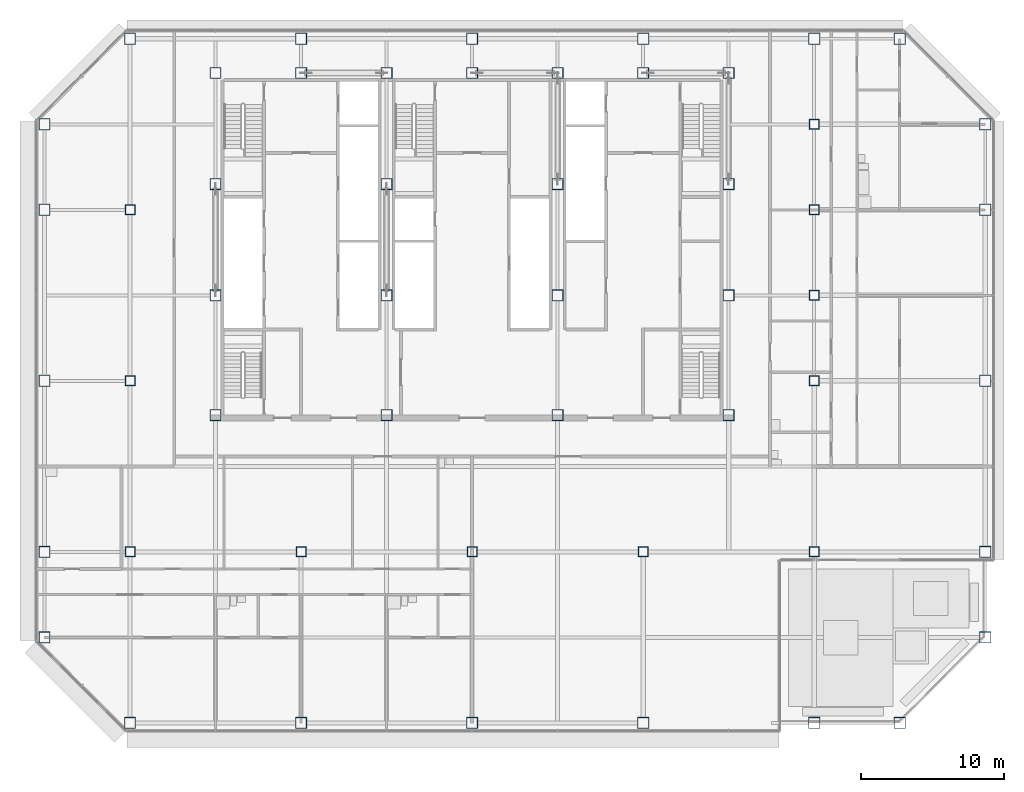
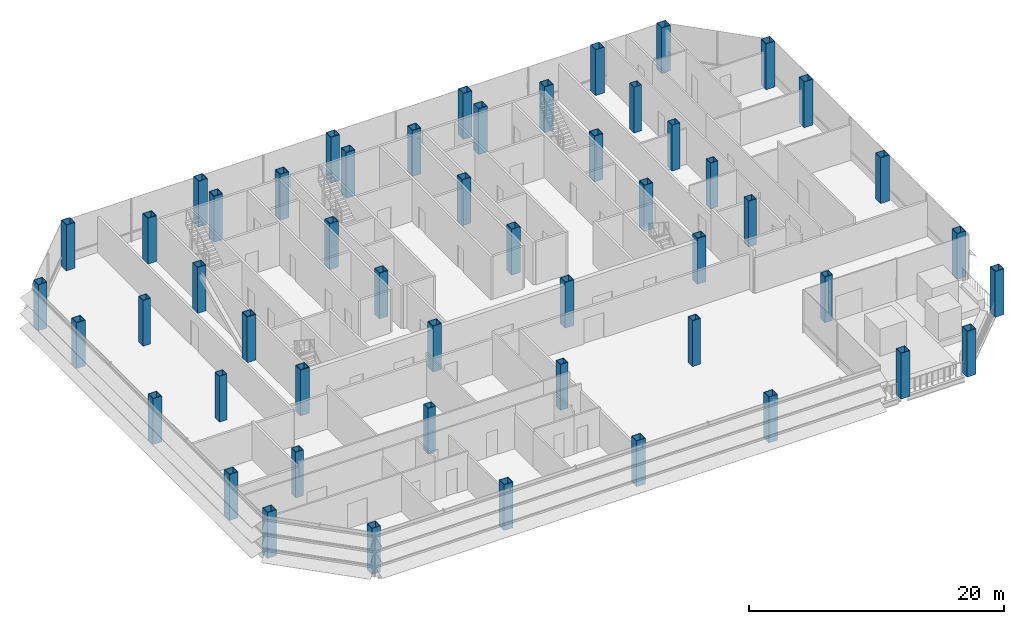
# One storey, part 1 of 28: 52 columns.
"""IFC4 building model written with IfcOpenShell, lengths in metres."""

from ifc_helpers import new_model, si_unit, direction, frame, origin, origin_2d, place, context, subcontext, project, spatial, hollow_rectangle, extrude, material, material_profile, profile_set, type_object, element, save


model = new_model("IFC4")

# Units and contexts
model_context = context("Model", 3, precision=1e-05, world=origin(), true_north=direction((0.0, 1.0)))
body_context = subcontext(model_context, "Body", "Model", "MODEL_VIEW")
ifc_project = project(units=[si_unit("LENGTHUNIT", "METRE"), si_unit("AREAUNIT", "SQUARE_METRE"), si_unit("VOLUMEUNIT", "CUBIC_METRE"), si_unit("PLANEANGLEUNIT", "RADIAN"), si_unit("MASSUNIT", "GRAM", prefix="KILO")], contexts=[model_context])

# Site, building, storey
site_placement = place(None, origin())
site = spatial("IfcSite", under=ifc_project, at=site_placement, CompositionType="ELEMENT")
building_placement = place(site_placement, origin())
building = spatial("IfcBuilding", under=site, at=building_placement, Name="Sorahane Residences", CompositionType="ELEMENT")
storey_placement = place(building_placement, frame((0.0, 0.0, 134.0)))
storey = spatial("IfcBuildingStorey", under=building, at=storey_placement, Name="L30", CompositionType="ELEMENT", Elevation=134.0)

# Columns
ifc_material_1 = material(Name="Steel Q355B", Category="steel")
ifc_material_profile_1 = material_profile(ifc_material_1, hollow_rectangle(XDim=0.699951171875, YDim=0.699951171875, WallThickness=0.035888671875, at=origin_2d()), Name="BOX 700x700x36")
ifc_profile_set_1 = profile_set([ifc_material_profile_1], Name="Steel Q355B")
column_type_1 = type_object("IfcColumnType", Name="Steel box column BOX 700x700x36 Q355B", PredefinedType="COLUMN", material=ifc_profile_set_1)
for number, where, z_axis, x_axis, name in (
    (1, (0.0, 12.0, 0.0), (0.0, 0.0, 1.0), (1.0, 0.0, 0.0), "Column L30 0/12"),
    (2, (0.0, 24.0, 0.0), (0.0, 0.0, 1.0), (1.0, 0.0, 0.0), "Column L30 0/24"),
    (3, (0.0, 36.0, 0.0), (0.0, 0.0, 1.0), (1.0, 0.0, 0.0), "Column L30 0/36"),
    (4, (12.0, 12.0, 0.0), (0.0, 0.0, 1.0), (1.0, 0.0, 0.0), "Column L30 12/12"),
    (5, (24.0, 12.0, 0.0), (0.0, 0.0, 1.0), (1.0, 0.0, 0.0), "Column L30 24/12"),
    (6, (36.0, 12.0, 0.0), (0.0, 0.0, 1.0), (1.0, 0.0, 0.0), "Column L30 36/12"),
    (7, (48.0, 12.0, 0.0), (0.0, 0.0, 1.0), (1.0, 0.0, 0.0), "Column L30 48/12"),
    (8, (48.0, 24.0, 0.0), (0.0, 0.0, 1.0), (1.0, 0.0, 0.0), "Column L30 48/24"),
    (9, (48.0, 30.0, 0.0), (0.0, 0.0, 1.0), (1.0, 0.0, 0.0), "Column L30 48/30"),
    (10, (48.0, 36.0, 0.0), (0.0, 0.0, 1.0), (1.0, 0.0, 0.0), "Column L30 48/36"),
    (11, (48.0, 42.0, 0.0), (0.0, 0.0, 1.0), (1.0, 0.0, 0.0), "Column L30 48/42"),
):
    element("IfcColumn", number, at=place(storey_placement, frame(where, z_axis=z_axis, x_axis=x_axis)), inside=storey, type_object=column_type_1, Name=name, PredefinedType="COLUMN", context=body_context, shape_type="SweptSolid", body=[
        extrude(hollow_rectangle(XDim=0.699951171875, YDim=0.699951171875, WallThickness=0.035888671875, at=origin_2d()), origin(), (0.0, 0.0, 1.0), 4.39990234375),
    ])
ifc_material_2 = material(Name="Steel Q355B", Category="steel")
ifc_material_profile_2 = material_profile(ifc_material_2, hollow_rectangle(XDim=0.800048828125, YDim=0.800048828125, WallThickness=0.0400390625, at=origin_2d()), Name="BOX 800x800x40")
ifc_profile_set_2 = profile_set([ifc_material_profile_2], Name="Steel Q355B")
column_type_2 = type_object("IfcColumnType", Name="Steel box column BOX 800x800x40 Q355B", PredefinedType="COLUMN", material=ifc_profile_set_2)
for number, where, z_axis, x_axis, name in (
    (12, (-6.0, 6.0, 0.0), (0.0, 0.0, 1.0), (1.0, 0.0, 0.0), "Column L30 m6/6"),
    (13, (-6.0, 12.0, 0.0), (0.0, 0.0, 1.0), (1.0, 0.0, 0.0), "Column L30 m6/12"),
    (14, (-6.0, 24.0, 0.0), (0.0, 0.0, 1.0), (1.0, 0.0, 0.0), "Column L30 m6/24"),
    (15, (-6.0, 36.0, 0.0), (0.0, 0.0, 1.0), (1.0, 0.0, 0.0), "Column L30 m6/36"),
    (16, (-6.0, 42.0, 0.0), (0.0, 0.0, 1.0), (1.0, 0.0, 0.0), "Column L30 m6/42"),
    (17, (0.0, 0.0, 0.0), (0.0, 0.0, 1.0), (1.0, 0.0, 0.0), "Column L30 0/0"),
    (18, (0.0, 48.0, 0.0), (0.0, 0.0, 1.0), (1.0, 0.0, 0.0), "Column L30 0/48"),
    (19, (12.0, 0.0, 0.0), (0.0, 0.0, 1.0), (1.0, 0.0, 0.0), "Column L30 12/0"),
    (20, (12.0, 48.0, 0.0), (0.0, 0.0, 1.0), (1.0, 0.0, 0.0), "Column L30 12/48"),
    (21, (24.0, 0.0, 0.0), (0.0, 0.0, 1.0), (1.0, 0.0, 0.0), "Column L30 24/0"),
    (22, (24.0, 48.0, 0.0), (0.0, 0.0, 1.0), (1.0, 0.0, 0.0), "Column L30 24/48"),
    (23, (36.0, 0.0, 0.0), (0.0, 0.0, 1.0), (1.0, 0.0, 0.0), "Column L30 36/0"),
    (24, (36.0, 48.0, 0.0), (0.0, 0.0, 1.0), (1.0, 0.0, 0.0), "Column L30 36/48"),
    (25, (48.0, 0.0, 0.0), (0.0, 0.0, 1.0), (1.0, 0.0, 0.0), "Column L30 48/0"),
    (26, (48.0, 48.0, 0.0), (0.0, 0.0, 1.0), (1.0, 0.0, 0.0), "Column L30 48/48"),
    (27, (54.0, 0.0, 0.0), (0.0, 0.0, 1.0), (1.0, 0.0, 0.0), "Column L30 54/0"),
    (28, (54.0, 48.0, 0.0), (0.0, 0.0, 1.0), (1.0, 0.0, 0.0), "Column L30 54/48"),
    (29, (60.0, 6.0, 0.0), (0.0, 0.0, 1.0), (1.0, 0.0, 0.0), "Column L30 60/6"),
    (30, (60.0, 12.0, 0.0), (0.0, 0.0, 1.0), (1.0, 0.0, 0.0), "Column L30 60/12"),
    (31, (60.0, 24.0, 0.0), (0.0, 0.0, 1.0), (1.0, 0.0, 0.0), "Column L30 60/24"),
    (32, (60.0, 36.0, 0.0), (0.0, 0.0, 1.0), (1.0, 0.0, 0.0), "Column L30 60/36"),
    (33, (60.0, 42.0, 0.0), (0.0, 0.0, 1.0), (1.0, 0.0, 0.0), "Column L30 60/42"),
):
    element("IfcColumn", number, at=place(storey_placement, frame(where, z_axis=z_axis, x_axis=x_axis)), inside=storey, type_object=column_type_2, Name=name, PredefinedType="COLUMN", context=body_context, shape_type="SweptSolid", body=[
        extrude(hollow_rectangle(XDim=0.800048828125, YDim=0.800048828125, WallThickness=0.0400390625, at=origin_2d()), origin(), (0.0, 0.0, 1.0), 4.39990234375),
    ])
ifc_material_3 = material(Name="Steel Q420GJ", Category="steel")
ifc_material_profile_3 = material_profile(ifc_material_3, hollow_rectangle(XDim=0.800048828125, YDim=0.800048828125, WallThickness=0.050048828125, at=origin_2d()), Name="BOX 800x800x50")
ifc_profile_set_3 = profile_set([ifc_material_profile_3], Name="Steel Q420GJ")
column_type_3 = type_object("IfcColumnType", Name="Steel box column BOX 800x800x50 Q420GJ", PredefinedType="COLUMN", material=ifc_profile_set_3)
for number, where, z_axis, x_axis, name in (
    (34, (6.0, 21.60009765625, 0.0), (0.0, 0.0, 1.0), (1.0, 0.0, 0.0), "Column L30 6/21.6"),
    (35, (6.0, 30.0, 0.0), (0.0, 0.0, 1.0), (1.0, 0.0, 0.0), "Column L30 6/30"),
    (36, (6.0, 37.800048828125, 0.0), (0.0, 0.0, 1.0), (1.0, 0.0, 0.0), "Column L30 6/37.8"),
    (37, (6.0, 45.60009765625, 0.0), (0.0, 0.0, 1.0), (1.0, 0.0, 0.0), "Column L30 6/45.6"),
    (38, (12.0, 45.60009765625, 0.0), (0.0, 0.0, 1.0), (1.0, 0.0, 0.0), "Column L30 12/45.6"),
    (39, (18.0, 21.60009765625, 0.0), (0.0, 0.0, 1.0), (1.0, 0.0, 0.0), "Column L30 18/21.6"),
    (40, (18.0, 30.0, 0.0), (0.0, 0.0, 1.0), (1.0, 0.0, 0.0), "Column L30 18/30"),
    (41, (18.0, 37.800048828125, 0.0), (0.0, 0.0, 1.0), (1.0, 0.0, 0.0), "Column L30 18/37.8"),
    (42, (18.0, 45.60009765625, 0.0), (0.0, 0.0, 1.0), (1.0, 0.0, 0.0), "Column L30 18/45.6"),
    (43, (24.0, 45.60009765625, 0.0), (0.0, 0.0, 1.0), (1.0, 0.0, 0.0), "Column L30 24/45.6"),
    (44, (30.0, 21.60009765625, 0.0), (0.0, 0.0, 1.0), (1.0, 0.0, 0.0), "Column L30 30/21.6"),
    (45, (30.0, 30.0, 0.0), (0.0, 0.0, 1.0), (1.0, 0.0, 0.0), "Column L30 30/30"),
    (46, (30.0, 37.800048828125, 0.0), (0.0, 0.0, 1.0), (1.0, 0.0, 0.0), "Column L30 30/37.8"),
    (47, (30.0, 45.60009765625, 0.0), (0.0, 0.0, 1.0), (1.0, 0.0, 0.0), "Column L30 30/45.6"),
    (48, (36.0, 45.60009765625, 0.0), (0.0, 0.0, 1.0), (1.0, 0.0, 0.0), "Column L30 36/45.6"),
    (49, (42.0, 21.60009765625, 0.0), (0.0, 0.0, 1.0), (1.0, 0.0, 0.0), "Column L30 42/21.6"),
    (50, (42.0, 30.0, 0.0), (0.0, 0.0, 1.0), (1.0, 0.0, 0.0), "Column L30 42/30"),
    (51, (42.0, 37.800048828125, 0.0), (0.0, 0.0, 1.0), (1.0, 0.0, 0.0), "Column L30 42/37.8"),
    (52, (42.0, 45.60009765625, 0.0), (0.0, 0.0, 1.0), (1.0, 0.0, 0.0), "Column L30 42/45.6"),
):
    element("IfcColumn", number, at=place(storey_placement, frame(where, z_axis=z_axis, x_axis=x_axis)), inside=storey, type_object=column_type_3, Name=name, PredefinedType="COLUMN", context=body_context, shape_type="SweptSolid", body=[
        extrude(hollow_rectangle(XDim=0.800048828125, YDim=0.800048828125, WallThickness=0.050048828125, at=origin_2d()), origin(), (0.0, 0.0, 1.0), 4.39990234375),
    ])

save(model, "model.ifc")
